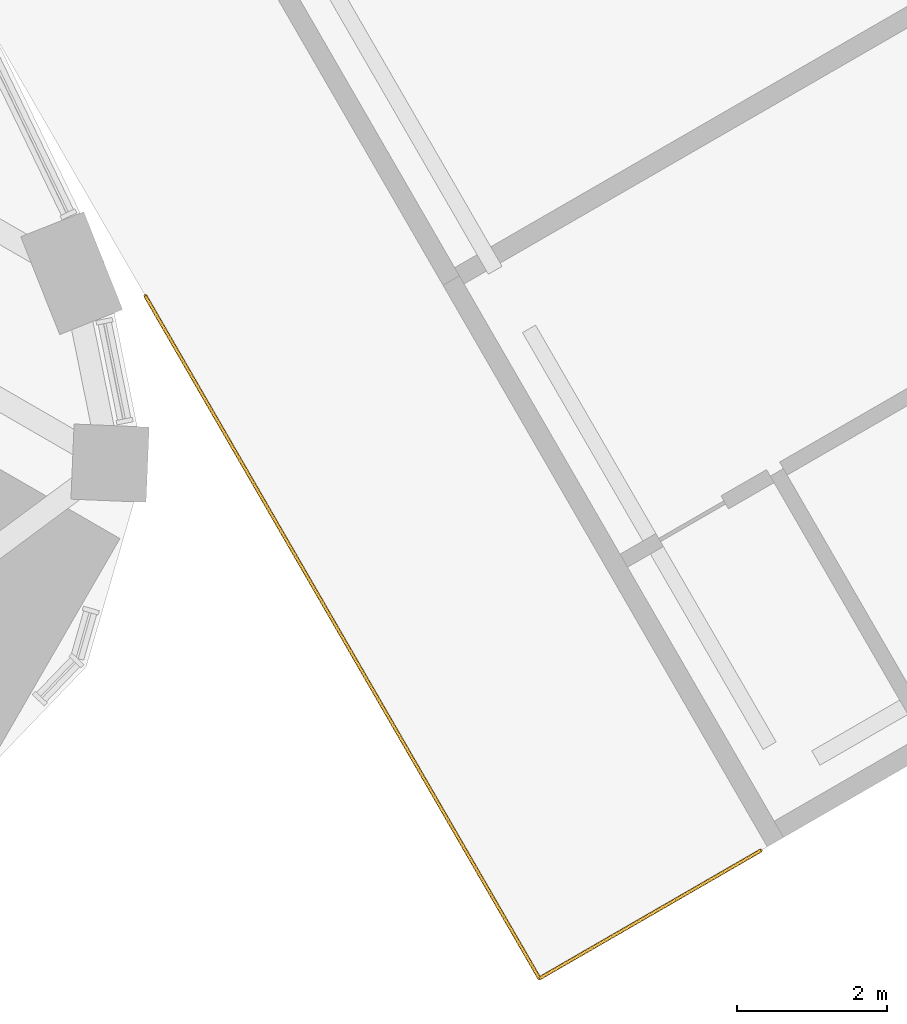
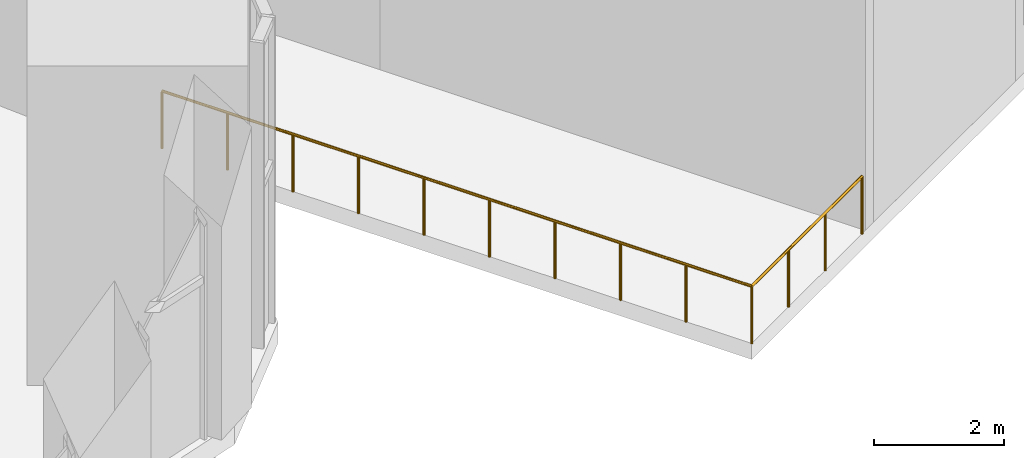
# One storey, part 38 of 41: 1 railing.
"""IFC4 building model written with IfcOpenShell, lengths in metres."""

from ifc_helpers import new_model, si_unit, direction, frame, origin, origin_2d, place, context, subcontext, project, spatial, circle, extrude, material, type_object, element, save


model = new_model("IFC4")

# Units and contexts
model_context = context("Model", 3, precision=1e-05, world=origin(), true_north=direction((0.0, 1.0)))
body_context = subcontext(model_context, "Body", "Model", "MODEL_VIEW")
ifc_project = project(units=[si_unit("LENGTHUNIT", "METRE"), si_unit("AREAUNIT", "SQUARE_METRE"), si_unit("VOLUMEUNIT", "CUBIC_METRE"), si_unit("PLANEANGLEUNIT", "RADIAN"), si_unit("MASSUNIT", "GRAM", prefix="KILO")], contexts=[model_context])

# Site, building, storey
site_placement = place(None, origin())
site = spatial("IfcSite", under=ifc_project, at=site_placement, CompositionType="ELEMENT")
building_placement = place(site_placement, origin())
building = spatial("IfcBuilding", under=site, at=building_placement, Name="Mestral Congress Tower", CompositionType="ELEMENT")
storey_placement = place(building_placement, frame((0.0, 0.0, 21.60009765625)))
storey = spatial("IfcBuildingStorey", under=building, at=storey_placement, Name="L04", CompositionType="ELEMENT", Elevation=21.60009765625)

# Railing
ifc_material = material(Name="Steel balustrade", Category="steel")
railing_type = type_object("IfcRailingType", Name="Podium deck guard 1100", PredefinedType="GUARDRAIL", material=ifc_material)
railing_placement = place(storey_placement, frame((42.36767578125, -21.72705078125, 0.0)))
element("IfcRailing", 1, at=railing_placement, inside=storey, type_object=railing_type, Name="Garden deck guard", PredefinedType="GUARDRAIL", context=body_context, shape_type="SweptSolid", body=[
    extrude(circle(Radius=0.02392578125, at=origin_2d()), frame((0.0, 0.0, 1.076171875), z_axis=(-0.866038511948, -0.499977295307, 0.0), x_axis=(0.499977295307, -0.866038511948, 0.0)), (0.0, 0.0, 1.0), 3.400146484375),
    extrude(circle(Radius=0.02392578125, at=origin_2d()), frame((-2.944580078125, -1.699951171875, 1.076171875), z_axis=(-0.499996639036, 0.866027344229, 0.0), x_axis=(-0.866027344229, -0.499996639036, 0.0)), (0.0, 0.0, 1.0), 10.482421875),
    extrude(circle(Radius=0.02099609375, at=origin_2d()), origin(), (0.0, 0.0, 1.0), 1.052001953125),
    extrude(circle(Radius=0.02099609375, at=origin_2d()), frame((-0.9814453125, -0.566650390625, 0.0)), (0.0, 0.0, 1.0), 1.052001953125),
    extrude(circle(Radius=0.02099609375, at=origin_2d()), frame((-1.963134765625, -1.13330078125, 0.0)), (0.0, 0.0, 1.0), 1.052001953125),
    extrude(circle(Radius=0.02099609375, at=origin_2d()), frame((-2.944580078125, -1.699951171875, 0.0)), (0.0, 0.0, 1.0), 1.052001953125),
    extrude(circle(Radius=0.02099609375, at=origin_2d()), frame((-3.52685546875, -0.691162109375, 0.0)), (0.0, 0.0, 1.0), 1.052001953125),
    extrude(circle(Radius=0.02099609375, at=origin_2d()), frame((-4.109375, 0.3173828125, 0.0)), (0.0, 0.0, 1.0), 1.052001953125),
    extrude(circle(Radius=0.02099609375, at=origin_2d()), frame((-4.691650390625, 1.326171875, 0.0)), (0.0, 0.0, 1.0), 1.052001953125),
    extrude(circle(Radius=0.02099609375, at=origin_2d()), frame((-5.27392578125, 2.334716796875, 0.0)), (0.0, 0.0, 1.0), 1.052001953125),
    extrude(circle(Radius=0.02099609375, at=origin_2d()), frame((-5.8564453125, 3.343505859375, 0.0)), (0.0, 0.0, 1.0), 1.052001953125),
    extrude(circle(Radius=0.02099609375, at=origin_2d()), frame((-6.438720703125, 4.35205078125, 0.0)), (0.0, 0.0, 1.0), 1.052001953125),
    extrude(circle(Radius=0.02099609375, at=origin_2d()), frame((-7.02099609375, 5.36083984375, 0.0)), (0.0, 0.0, 1.0), 1.052001953125),
    extrude(circle(Radius=0.02099609375, at=origin_2d()), frame((-7.603515625, 6.369384765625, 0.0)), (0.0, 0.0, 1.0), 1.052001953125),
    extrude(circle(Radius=0.02099609375, at=origin_2d()), frame((-8.185791015625, 7.378173828125, 0.0)), (0.0, 0.0, 1.0), 1.052001953125),
])

save(model, "model.ifc")
